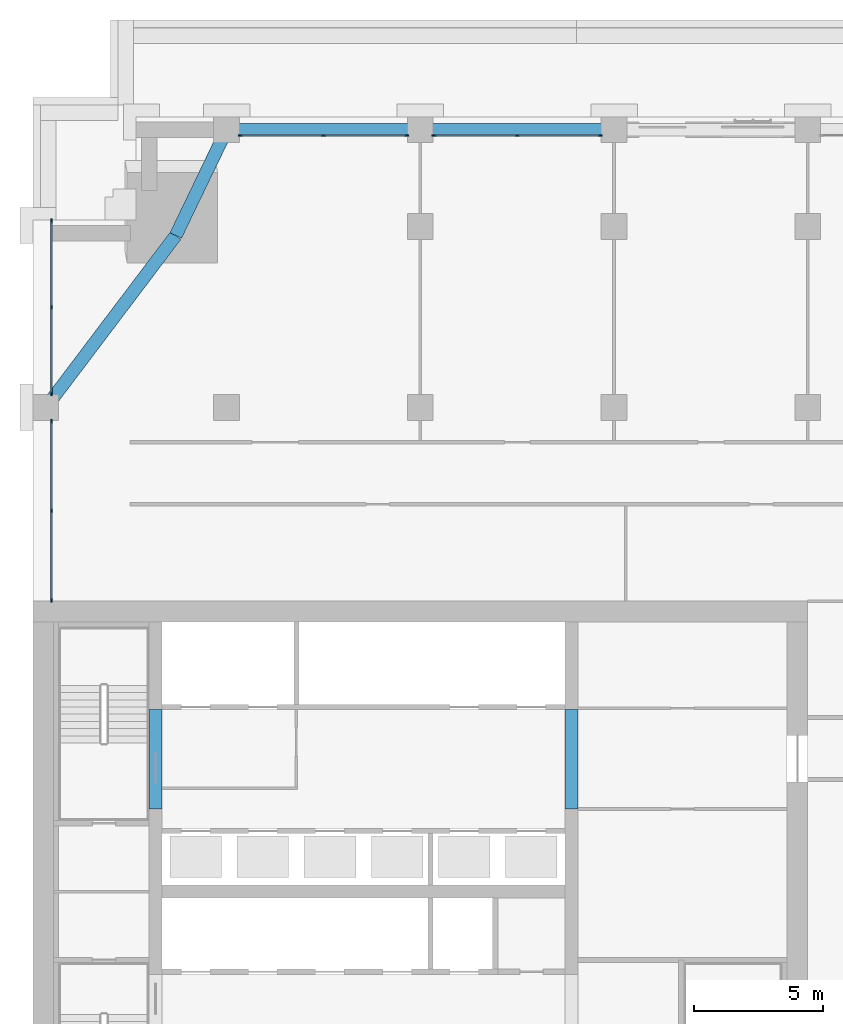
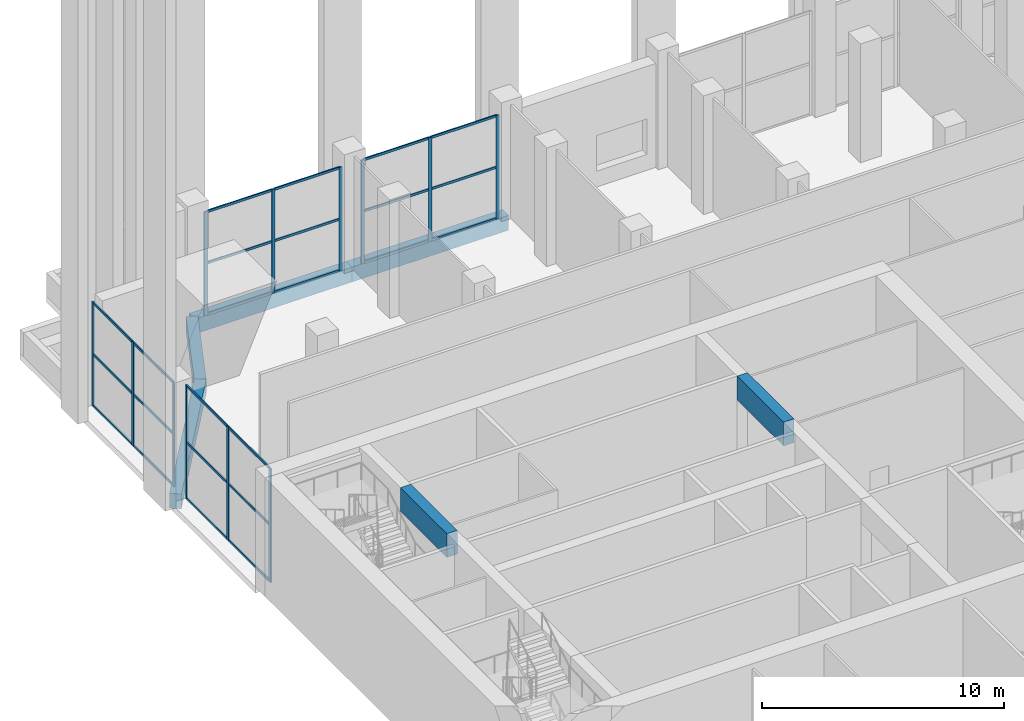
# One storey, part 6 of 23: 36 members, 6 beams, 4 elements without a shape of their own.
"""IFC4 building model written with IfcOpenShell, lengths in metres."""

from ifc_helpers import new_model, si_unit, direction, frame, origin, origin_2d, place, context, subcontext, project, spatial, rectangle, extrude, material, layer, layer_set, material_profile, profile_set, type_object, element, aggregate, save


model = new_model("IFC4")

# Units and contexts
model_context = context("Model", 3, precision=1e-05, world=origin(), true_north=direction((0.0, 1.0)))
body_context = subcontext(model_context, "Body", "Model", "MODEL_VIEW")
ifc_project = project(units=[si_unit("LENGTHUNIT", "METRE"), si_unit("AREAUNIT", "SQUARE_METRE"), si_unit("VOLUMEUNIT", "CUBIC_METRE"), si_unit("PLANEANGLEUNIT", "RADIAN"), si_unit("MASSUNIT", "GRAM", prefix="KILO")], contexts=[model_context])

# Site, building, storey
site_placement = place(None, origin())
site = spatial("IfcSite", under=ifc_project, at=site_placement, CompositionType="ELEMENT")
building_placement = place(site_placement, origin())
building = spatial("IfcBuilding", under=site, at=building_placement, Name="Tamorin Gate", CompositionType="ELEMENT")
storey_placement = place(building_placement, frame((0.0, 0.0, 124.199951171875)))
storey = spatial("IfcBuildingStorey", under=building, at=storey_placement, Name="L30", CompositionType="ELEMENT", Elevation=124.199951171875)

# Curtain wall, members
ifc_material_1 = material(Name="Aluminium mullions and transoms with clear glass", Category="aluminium")
ifc_layer = layer(ifc_material_1, 0.159912109375)
ifc_layer_set = layer_set([ifc_layer], Name="Curtain wall system CW1")
curtain_wall_type = type_object("IfcCurtainWallType", Name="Curtain wall system CW1", PredefinedType="NOTDEFINED", material=ifc_layer_set)
curtain_wall_1_placement = place(storey_placement, origin())
curtain_wall_1 = element("IfcCurtainWall", 1, at=curtain_wall_1_placement, inside=storey, type_object=curtain_wall_type, Name="Curtain wall", PredefinedType="NOTDEFINED")
ifc_material_2 = material(Name="Aluminium", Category="aluminium")
ifc_material_profile_1 = material_profile(ifc_material_2, rectangle(XDim=0.06005859375, YDim=0.159912109375, at=origin_2d()), Name="RECT 60x160")
ifc_profile_set_1 = profile_set([ifc_material_profile_1], Name="Aluminium")
member_type_1 = type_object("IfcMemberType", Name="Aluminium mullion 60x160", PredefinedType="MULLION", material=ifc_profile_set_1)
member_1_placement = place(storey_placement, frame((51.969970703125, 100.530029296875, 0.0), z_axis=(0.0, 0.0, 1.0), x_axis=(0.0, -1.0, 0.0)))
member_1 = element("IfcMember", 2, at=member_1_placement, type_object=member_type_1, Name="CW1 mullion 1", PredefinedType="MULLION", context=body_context, shape_type="SweptSolid", body=[
    extrude(rectangle(XDim=0.06005859375, YDim=0.159912109375, at=origin_2d()), origin(), (0.0, 0.0, 1.0), 5.25),
])
member_2_placement = place(storey_placement, frame((48.75, 100.530029296875, 0.0), z_axis=(0.0, 0.0, 1.0), x_axis=(0.0, -1.0, 0.0)))
member_2 = element("IfcMember", 3, at=member_2_placement, type_object=member_type_1, Name="CW1 mullion 2", PredefinedType="MULLION", context=body_context, shape_type="SweptSolid", body=[
    extrude(rectangle(XDim=0.06005859375, YDim=0.159912109375, at=origin_2d()), origin(), (0.0, 0.0, 1.0), 5.25),
])
member_3_placement = place(storey_placement, frame((45.530029296875, 100.530029296875, 0.0), z_axis=(0.0, 0.0, 1.0), x_axis=(0.0, -1.0, 0.0)))
member_3 = element("IfcMember", 4, at=member_3_placement, type_object=member_type_1, Name="CW1 mullion 3", PredefinedType="MULLION", context=body_context, shape_type="SweptSolid", body=[
    extrude(rectangle(XDim=0.06005859375, YDim=0.159912109375, at=origin_2d()), origin(), (0.0, 0.0, 1.0), 5.25),
])

curtain_wall_2_placement = place(storey_placement, origin())
curtain_wall_2 = element("IfcCurtainWall", 5, at=curtain_wall_2_placement, inside=storey, type_object=curtain_wall_type, Name="Curtain wall", PredefinedType="NOTDEFINED")
member_4_placement = place(storey_placement, frame((44.469970703125, 100.530029296875, 0.0), z_axis=(0.0, 0.0, 1.0), x_axis=(0.0, -1.0, 0.0)))
member_4 = element("IfcMember", 6, at=member_4_placement, type_object=member_type_1, Name="CW1 mullion 1", PredefinedType="MULLION", context=body_context, shape_type="SweptSolid", body=[
    extrude(rectangle(XDim=0.06005859375, YDim=0.159912109375, at=origin_2d()), origin(), (0.0, 0.0, 1.0), 5.25),
])
member_5_placement = place(storey_placement, frame((41.25, 100.530029296875, 0.0), z_axis=(0.0, 0.0, 1.0), x_axis=(0.0, -1.0, 0.0)))
member_5 = element("IfcMember", 7, at=member_5_placement, type_object=member_type_1, Name="CW1 mullion 2", PredefinedType="MULLION", context=body_context, shape_type="SweptSolid", body=[
    extrude(rectangle(XDim=0.06005859375, YDim=0.159912109375, at=origin_2d()), origin(), (0.0, 0.0, 1.0), 5.25),
])
member_6_placement = place(storey_placement, frame((38.030029296875, 100.530029296875, 0.0), z_axis=(0.0, 0.0, 1.0), x_axis=(0.0, -1.0, 0.0)))
member_6 = element("IfcMember", 8, at=member_6_placement, type_object=member_type_1, Name="CW1 mullion 3", PredefinedType="MULLION", context=body_context, shape_type="SweptSolid", body=[
    extrude(rectangle(XDim=0.06005859375, YDim=0.159912109375, at=origin_2d()), origin(), (0.0, 0.0, 1.0), 5.25),
])

curtain_wall_3_placement = place(storey_placement, origin())
curtain_wall_3 = element("IfcCurtainWall", 9, at=curtain_wall_3_placement, inside=storey, type_object=curtain_wall_type, Name="Curtain wall", PredefinedType="NOTDEFINED")
member_7_placement = place(storey_placement, frame((30.719970703125, 97.219970703125, 0.0), z_axis=(0.0, 0.0, 1.0), x_axis=(1.0, 0.0, 0.0)))
member_7 = element("IfcMember", 10, at=member_7_placement, type_object=member_type_1, Name="CW1 mullion 1", PredefinedType="MULLION", context=body_context, shape_type="SweptSolid", body=[
    extrude(rectangle(XDim=0.06005859375, YDim=0.159912109375, at=origin_2d()), origin(), (0.0, 0.0, 1.0), 5.25),
])
member_8_placement = place(storey_placement, frame((30.719970703125, 93.875, 0.0), z_axis=(0.0, 0.0, 1.0), x_axis=(1.0, 0.0, 0.0)))
member_8 = element("IfcMember", 11, at=member_8_placement, type_object=member_type_1, Name="CW1 mullion 2", PredefinedType="MULLION", context=body_context, shape_type="SweptSolid", body=[
    extrude(rectangle(XDim=0.06005859375, YDim=0.159912109375, at=origin_2d()), origin(), (0.0, 0.0, 1.0), 5.25),
])
member_9_placement = place(storey_placement, frame((30.719970703125, 90.530029296875, 0.0), z_axis=(0.0, 0.0, 1.0), x_axis=(1.0, 0.0, 0.0)))
member_9 = element("IfcMember", 12, at=member_9_placement, type_object=member_type_1, Name="CW1 mullion 3", PredefinedType="MULLION", context=body_context, shape_type="SweptSolid", body=[
    extrude(rectangle(XDim=0.06005859375, YDim=0.159912109375, at=origin_2d()), origin(), (0.0, 0.0, 1.0), 5.25),
])

curtain_wall_4_placement = place(storey_placement, origin())
curtain_wall_4 = element("IfcCurtainWall", 13, at=curtain_wall_4_placement, inside=storey, type_object=curtain_wall_type, Name="Curtain wall", PredefinedType="NOTDEFINED")
member_10_placement = place(storey_placement, frame((30.719970703125, 89.469970703125, 0.0), z_axis=(0.0, 0.0, 1.0), x_axis=(1.0, 0.0, 0.0)))
member_10 = element("IfcMember", 14, at=member_10_placement, type_object=member_type_1, Name="CW1 mullion 1", PredefinedType="MULLION", context=body_context, shape_type="SweptSolid", body=[
    extrude(rectangle(XDim=0.06005859375, YDim=0.159912109375, at=origin_2d()), origin(), (0.0, 0.0, 1.0), 5.75),
])
member_11_placement = place(storey_placement, frame((30.719970703125, 86.0, 0.0), z_axis=(0.0, 0.0, 1.0), x_axis=(1.0, 0.0, 0.0)))
member_11 = element("IfcMember", 15, at=member_11_placement, type_object=member_type_1, Name="CW1 mullion 2", PredefinedType="MULLION", context=body_context, shape_type="SweptSolid", body=[
    extrude(rectangle(XDim=0.06005859375, YDim=0.159912109375, at=origin_2d()), origin(), (0.0, 0.0, 1.0), 5.75),
])
member_12_placement = place(storey_placement, frame((30.719970703125, 82.530029296875, 0.0), z_axis=(0.0, 0.0, 1.0), x_axis=(1.0, 0.0, 0.0)))
member_12 = element("IfcMember", 16, at=member_12_placement, type_object=member_type_1, Name="CW1 mullion 3", PredefinedType="MULLION", context=body_context, shape_type="SweptSolid", body=[
    extrude(rectangle(XDim=0.06005859375, YDim=0.159912109375, at=origin_2d()), origin(), (0.0, 0.0, 1.0), 5.75),
])

# Member
ifc_material_profile_2 = material_profile(ifc_material_2, rectangle(XDim=0.06005859375, YDim=0.1201171875, at=origin_2d()), Name="RECT 60x120")
ifc_profile_set_2 = profile_set([ifc_material_profile_2], Name="Aluminium")
member_type_2 = type_object("IfcMemberType", Name="Aluminium transom 60x120", PredefinedType="USERDEFINED", material=ifc_profile_set_2)
member_13_placement = place(storey_placement, frame((51.93994140625, 100.530029296875, 0.030029296875), z_axis=(-1.0, 0.0, 0.0), x_axis=(0.0, -1.0, 0.0)))
member_13 = element("IfcMember", 17, at=member_13_placement, type_object=member_type_2, Name="CW1 transom 1.1", ObjectType="TRANSOM", PredefinedType="USERDEFINED", context=body_context, shape_type="SweptSolid", body=[
    extrude(rectangle(XDim=0.06005859375, YDim=0.1201171875, at=origin_2d()), origin(), (0.0, 0.0, 1.0), 3.159912109375),
])

member_14_placement = place(storey_placement, frame((51.93994140625, 100.530029296875, 2.625), z_axis=(-1.0, 0.0, 0.0), x_axis=(0.0, -1.0, 0.0)))
member_14 = element("IfcMember", 18, at=member_14_placement, type_object=member_type_2, Name="CW1 transom 1.2", ObjectType="TRANSOM", PredefinedType="USERDEFINED", context=body_context, shape_type="SweptSolid", body=[
    extrude(rectangle(XDim=0.06005859375, YDim=0.1201171875, at=origin_2d()), origin(), (0.0, 0.0, 1.0), 3.159912109375),
])

member_15_placement = place(storey_placement, frame((51.93994140625, 100.530029296875, 5.219970703125), z_axis=(-1.0, 0.0, 0.0), x_axis=(0.0, -1.0, 0.0)))
member_15 = element("IfcMember", 19, at=member_15_placement, type_object=member_type_2, Name="CW1 transom 1.3", ObjectType="TRANSOM", PredefinedType="USERDEFINED", context=body_context, shape_type="SweptSolid", body=[
    extrude(rectangle(XDim=0.06005859375, YDim=0.1201171875, at=origin_2d()), origin(), (0.0, 0.0, 1.0), 3.159912109375),
])

member_16_placement = place(storey_placement, frame((48.719970703125, 100.530029296875, 0.030029296875), z_axis=(-1.0, 0.0, 0.0), x_axis=(0.0, -1.0, 0.0)))
member_16 = element("IfcMember", 20, at=member_16_placement, type_object=member_type_2, Name="CW1 transom 2.1", ObjectType="TRANSOM", PredefinedType="USERDEFINED", context=body_context, shape_type="SweptSolid", body=[
    extrude(rectangle(XDim=0.06005859375, YDim=0.1201171875, at=origin_2d()), origin(), (0.0, 0.0, 1.0), 3.159912109375),
])

member_17_placement = place(storey_placement, frame((48.719970703125, 100.530029296875, 2.625), z_axis=(-1.0, 0.0, 0.0), x_axis=(0.0, -1.0, 0.0)))
member_17 = element("IfcMember", 21, at=member_17_placement, type_object=member_type_2, Name="CW1 transom 2.2", ObjectType="TRANSOM", PredefinedType="USERDEFINED", context=body_context, shape_type="SweptSolid", body=[
    extrude(rectangle(XDim=0.06005859375, YDim=0.1201171875, at=origin_2d()), origin(), (0.0, 0.0, 1.0), 3.159912109375),
])

member_18_placement = place(storey_placement, frame((48.719970703125, 100.530029296875, 5.219970703125), z_axis=(-1.0, 0.0, 0.0), x_axis=(0.0, -1.0, 0.0)))
member_18 = element("IfcMember", 22, at=member_18_placement, type_object=member_type_2, Name="CW1 transom 2.3", ObjectType="TRANSOM", PredefinedType="USERDEFINED", context=body_context, shape_type="SweptSolid", body=[
    extrude(rectangle(XDim=0.06005859375, YDim=0.1201171875, at=origin_2d()), origin(), (0.0, 0.0, 1.0), 3.159912109375),
])

aggregate(curtain_wall_1, [member_1, member_2, member_3, member_13, member_14, member_15, member_16, member_17, member_18])

member_19_placement = place(storey_placement, frame((44.43994140625, 100.530029296875, 0.030029296875), z_axis=(-1.0, 0.0, 0.0), x_axis=(0.0, -1.0, 0.0)))
member_19 = element("IfcMember", 23, at=member_19_placement, type_object=member_type_2, Name="CW1 transom 1.1", ObjectType="TRANSOM", PredefinedType="USERDEFINED", context=body_context, shape_type="SweptSolid", body=[
    extrude(rectangle(XDim=0.06005859375, YDim=0.1201171875, at=origin_2d()), origin(), (0.0, 0.0, 1.0), 3.159912109375),
])

member_20_placement = place(storey_placement, frame((44.43994140625, 100.530029296875, 2.625), z_axis=(-1.0, 0.0, 0.0), x_axis=(0.0, -1.0, 0.0)))
member_20 = element("IfcMember", 24, at=member_20_placement, type_object=member_type_2, Name="CW1 transom 1.2", ObjectType="TRANSOM", PredefinedType="USERDEFINED", context=body_context, shape_type="SweptSolid", body=[
    extrude(rectangle(XDim=0.06005859375, YDim=0.1201171875, at=origin_2d()), origin(), (0.0, 0.0, 1.0), 3.159912109375),
])

member_21_placement = place(storey_placement, frame((44.43994140625, 100.530029296875, 5.219970703125), z_axis=(-1.0, 0.0, 0.0), x_axis=(0.0, -1.0, 0.0)))
member_21 = element("IfcMember", 25, at=member_21_placement, type_object=member_type_2, Name="CW1 transom 1.3", ObjectType="TRANSOM", PredefinedType="USERDEFINED", context=body_context, shape_type="SweptSolid", body=[
    extrude(rectangle(XDim=0.06005859375, YDim=0.1201171875, at=origin_2d()), origin(), (0.0, 0.0, 1.0), 3.159912109375),
])

member_22_placement = place(storey_placement, frame((41.219970703125, 100.530029296875, 0.030029296875), z_axis=(-1.0, 0.0, 0.0), x_axis=(0.0, -1.0, 0.0)))
member_22 = element("IfcMember", 26, at=member_22_placement, type_object=member_type_2, Name="CW1 transom 2.1", ObjectType="TRANSOM", PredefinedType="USERDEFINED", context=body_context, shape_type="SweptSolid", body=[
    extrude(rectangle(XDim=0.06005859375, YDim=0.1201171875, at=origin_2d()), origin(), (0.0, 0.0, 1.0), 3.159912109375),
])

member_23_placement = place(storey_placement, frame((41.219970703125, 100.530029296875, 2.625), z_axis=(-1.0, 0.0, 0.0), x_axis=(0.0, -1.0, 0.0)))
member_23 = element("IfcMember", 27, at=member_23_placement, type_object=member_type_2, Name="CW1 transom 2.2", ObjectType="TRANSOM", PredefinedType="USERDEFINED", context=body_context, shape_type="SweptSolid", body=[
    extrude(rectangle(XDim=0.06005859375, YDim=0.1201171875, at=origin_2d()), origin(), (0.0, 0.0, 1.0), 3.159912109375),
])

member_24_placement = place(storey_placement, frame((41.219970703125, 100.530029296875, 5.219970703125), z_axis=(-1.0, 0.0, 0.0), x_axis=(0.0, -1.0, 0.0)))
member_24 = element("IfcMember", 28, at=member_24_placement, type_object=member_type_2, Name="CW1 transom 2.3", ObjectType="TRANSOM", PredefinedType="USERDEFINED", context=body_context, shape_type="SweptSolid", body=[
    extrude(rectangle(XDim=0.06005859375, YDim=0.1201171875, at=origin_2d()), origin(), (0.0, 0.0, 1.0), 3.159912109375),
])

aggregate(curtain_wall_2, [member_4, member_5, member_6, member_19, member_20, member_21, member_22, member_23, member_24])

member_25_placement = place(storey_placement, frame((30.719970703125, 97.18994140625, 0.030029296875), z_axis=(0.0, -1.0, 0.0), x_axis=(1.0, 0.0, 0.0)))
member_25 = element("IfcMember", 29, at=member_25_placement, type_object=member_type_2, Name="CW1 transom 1.1", ObjectType="TRANSOM", PredefinedType="USERDEFINED", context=body_context, shape_type="SweptSolid", body=[
    extrude(rectangle(XDim=0.06005859375, YDim=0.1201171875, at=origin_2d()), origin(), (0.0, 0.0, 1.0), 3.284912109375),
])

member_26_placement = place(storey_placement, frame((30.719970703125, 97.18994140625, 2.625), z_axis=(0.0, -1.0, 0.0), x_axis=(1.0, 0.0, 0.0)))
member_26 = element("IfcMember", 30, at=member_26_placement, type_object=member_type_2, Name="CW1 transom 1.2", ObjectType="TRANSOM", PredefinedType="USERDEFINED", context=body_context, shape_type="SweptSolid", body=[
    extrude(rectangle(XDim=0.06005859375, YDim=0.1201171875, at=origin_2d()), origin(), (0.0, 0.0, 1.0), 3.284912109375),
])

member_27_placement = place(storey_placement, frame((30.719970703125, 97.18994140625, 5.219970703125), z_axis=(0.0, -1.0, 0.0), x_axis=(1.0, 0.0, 0.0)))
member_27 = element("IfcMember", 31, at=member_27_placement, type_object=member_type_2, Name="CW1 transom 1.3", ObjectType="TRANSOM", PredefinedType="USERDEFINED", context=body_context, shape_type="SweptSolid", body=[
    extrude(rectangle(XDim=0.06005859375, YDim=0.1201171875, at=origin_2d()), origin(), (0.0, 0.0, 1.0), 3.284912109375),
])

member_28_placement = place(storey_placement, frame((30.719970703125, 93.844970703125, 0.030029296875), z_axis=(0.0, -1.0, 0.0), x_axis=(1.0, 0.0, 0.0)))
member_28 = element("IfcMember", 32, at=member_28_placement, type_object=member_type_2, Name="CW1 transom 2.1", ObjectType="TRANSOM", PredefinedType="USERDEFINED", context=body_context, shape_type="SweptSolid", body=[
    extrude(rectangle(XDim=0.06005859375, YDim=0.1201171875, at=origin_2d()), origin(), (0.0, 0.0, 1.0), 3.284912109375),
])

member_29_placement = place(storey_placement, frame((30.719970703125, 93.844970703125, 2.625), z_axis=(0.0, -1.0, 0.0), x_axis=(1.0, 0.0, 0.0)))
member_29 = element("IfcMember", 33, at=member_29_placement, type_object=member_type_2, Name="CW1 transom 2.2", ObjectType="TRANSOM", PredefinedType="USERDEFINED", context=body_context, shape_type="SweptSolid", body=[
    extrude(rectangle(XDim=0.06005859375, YDim=0.1201171875, at=origin_2d()), origin(), (0.0, 0.0, 1.0), 3.284912109375),
])

member_30_placement = place(storey_placement, frame((30.719970703125, 93.844970703125, 5.219970703125), z_axis=(0.0, -1.0, 0.0), x_axis=(1.0, 0.0, 0.0)))
member_30 = element("IfcMember", 34, at=member_30_placement, type_object=member_type_2, Name="CW1 transom 2.3", ObjectType="TRANSOM", PredefinedType="USERDEFINED", context=body_context, shape_type="SweptSolid", body=[
    extrude(rectangle(XDim=0.06005859375, YDim=0.1201171875, at=origin_2d()), origin(), (0.0, 0.0, 1.0), 3.284912109375),
])

aggregate(curtain_wall_3, [member_7, member_8, member_9, member_25, member_26, member_27, member_28, member_29, member_30])

member_31_placement = place(storey_placement, frame((30.719970703125, 89.43994140625, 0.030029296875), z_axis=(0.0, -1.0, 0.0), x_axis=(1.0, 0.0, 0.0)))
member_31 = element("IfcMember", 35, at=member_31_placement, type_object=member_type_2, Name="CW1 transom 1.1", ObjectType="TRANSOM", PredefinedType="USERDEFINED", context=body_context, shape_type="SweptSolid", body=[
    extrude(rectangle(XDim=0.06005859375, YDim=0.1201171875, at=origin_2d()), origin(), (0.0, 0.0, 1.0), 3.409912109375),
])

member_32_placement = place(storey_placement, frame((30.719970703125, 89.43994140625, 2.875), z_axis=(0.0, -1.0, 0.0), x_axis=(1.0, 0.0, 0.0)))
member_32 = element("IfcMember", 36, at=member_32_placement, type_object=member_type_2, Name="CW1 transom 1.2", ObjectType="TRANSOM", PredefinedType="USERDEFINED", context=body_context, shape_type="SweptSolid", body=[
    extrude(rectangle(XDim=0.06005859375, YDim=0.1201171875, at=origin_2d()), origin(), (0.0, 0.0, 1.0), 3.409912109375),
])

member_33_placement = place(storey_placement, frame((30.719970703125, 89.43994140625, 5.719970703125), z_axis=(0.0, -1.0, 0.0), x_axis=(1.0, 0.0, 0.0)))
member_33 = element("IfcMember", 37, at=member_33_placement, type_object=member_type_2, Name="CW1 transom 1.3", ObjectType="TRANSOM", PredefinedType="USERDEFINED", context=body_context, shape_type="SweptSolid", body=[
    extrude(rectangle(XDim=0.06005859375, YDim=0.1201171875, at=origin_2d()), origin(), (0.0, 0.0, 1.0), 3.409912109375),
])

member_34_placement = place(storey_placement, frame((30.719970703125, 85.969970703125, 0.030029296875), z_axis=(0.0, -1.0, 0.0), x_axis=(1.0, 0.0, 0.0)))
member_34 = element("IfcMember", 38, at=member_34_placement, type_object=member_type_2, Name="CW1 transom 2.1", ObjectType="TRANSOM", PredefinedType="USERDEFINED", context=body_context, shape_type="SweptSolid", body=[
    extrude(rectangle(XDim=0.06005859375, YDim=0.1201171875, at=origin_2d()), origin(), (0.0, 0.0, 1.0), 3.409912109375),
])

member_35_placement = place(storey_placement, frame((30.719970703125, 85.969970703125, 2.875), z_axis=(0.0, -1.0, 0.0), x_axis=(1.0, 0.0, 0.0)))
member_35 = element("IfcMember", 39, at=member_35_placement, type_object=member_type_2, Name="CW1 transom 2.2", ObjectType="TRANSOM", PredefinedType="USERDEFINED", context=body_context, shape_type="SweptSolid", body=[
    extrude(rectangle(XDim=0.06005859375, YDim=0.1201171875, at=origin_2d()), origin(), (0.0, 0.0, 1.0), 3.409912109375),
])

member_36_placement = place(storey_placement, frame((30.719970703125, 85.969970703125, 5.719970703125), z_axis=(0.0, -1.0, 0.0), x_axis=(1.0, 0.0, 0.0)))
member_36 = element("IfcMember", 40, at=member_36_placement, type_object=member_type_2, Name="CW1 transom 2.3", ObjectType="TRANSOM", PredefinedType="USERDEFINED", context=body_context, shape_type="SweptSolid", body=[
    extrude(rectangle(XDim=0.06005859375, YDim=0.1201171875, at=origin_2d()), origin(), (0.0, 0.0, 1.0), 3.409912109375),
])

aggregate(curtain_wall_4, [member_10, member_11, member_12, member_31, member_32, member_33, member_34, member_35, member_36])

# Beams
ifc_material_3 = material(Name="Concrete C60/75", Category="concrete")
ifc_material_profile_3 = material_profile(ifc_material_3, rectangle(XDim=0.5, YDim=1.199951171875, at=origin_2d()), Name="RC 500x1200")
ifc_profile_set_3 = profile_set([ifc_material_profile_3], Name="Concrete C60/75")
beam_type_1 = type_object("IfcBeamType", Name="RC coupling beam 500x1200 C60/75", PredefinedType="BEAM", material=ifc_profile_set_3)
for number, where, z_axis, x_axis, name in (
    (41, (34.75, 74.449951171875, 5.400146484375), (0.0, 1.0, 0.0), (-1.0, 0.0, 0.0), "Coupling beam L30"),
    (42, (50.85009765625, 74.449951171875, 5.400146484375), (0.0, 1.0, 0.0), (-1.0, 0.0, 0.0), "Coupling beam L30"),
):
    element("IfcBeam", number, at=place(storey_placement, frame(where, z_axis=z_axis, x_axis=x_axis)), inside=storey, type_object=beam_type_1, Name=name, PredefinedType="BEAM", context=body_context, shape_type="SweptSolid", body=[
        extrude(rectangle(XDim=0.5, YDim=1.199951171875, at=origin_2d()), origin(), (0.0, 0.0, 1.0), 3.85009765625),
    ])
ifc_material_4 = material(Name="Concrete C50/60", Category="concrete")
ifc_material_profile_4 = material_profile(ifc_material_4, rectangle(XDim=0.5, YDim=0.75, at=origin_2d()), Name="RC 500x750")
ifc_profile_set_4 = profile_set([ifc_material_profile_4], Name="Concrete C50/60")
beam_type_2 = type_object("IfcBeamType", Name="RC spandrel 500x750 C50/60", PredefinedType="BEAM", material=ifc_profile_set_4)
for number, where, z_axis, x_axis, name in (
    (43, (52.5, 100.75, -0.375), (-1.0, 0.0, 0.0), (0.0, -1.0, 0.0), "Spandrel beam L30"),
    (44, (45.0, 100.75, -0.375), (-1.0, 0.0, 0.0), (0.0, -1.0, 0.0), "Spandrel beam L30"),
):
    element("IfcBeam", number, at=place(storey_placement, frame(where, z_axis=z_axis, x_axis=x_axis)), inside=storey, type_object=beam_type_2, Name=name, PredefinedType="BEAM", context=body_context, shape_type="SweptSolid", body=[
        extrude(rectangle(XDim=0.5, YDim=0.75, at=origin_2d()), origin(), (0.0, 0.0, 1.0), 7.5),
    ])
beam_1_placement = place(storey_placement, frame((35.53125, 96.65625, -0.375), z_axis=(0.433401890047, 0.901200755494, 0.0), x_axis=(-0.901200755494, 0.433401890047, 0.0)))
element("IfcBeam", 45, at=beam_1_placement, inside=storey, type_object=beam_type_2, Name="Corner tie beam L30", PredefinedType="BEAM", context=body_context, shape_type="SweptSolid", body=[
    extrude(rectangle(XDim=0.5, YDim=0.75, at=origin_2d()), origin(), (0.0, 0.0, 1.0), 4.54248046875),
])
beam_2_placement = place(storey_placement, frame((35.53125, 96.65625, -0.375), z_axis=(-0.602992025488, -0.797747213845, 0.0), x_axis=(0.797747213845, -0.602992025488, 0.0)))
element("IfcBeam", 46, at=beam_2_placement, inside=storey, type_object=beam_type_2, Name="Corner tie beam L30", PredefinedType="BEAM", context=body_context, shape_type="SweptSolid", body=[
    extrude(rectangle(XDim=0.5, YDim=0.75, at=origin_2d()), origin(), (0.0, 0.0, 1.0), 8.34375),
])

save(model, "model.ifc")
